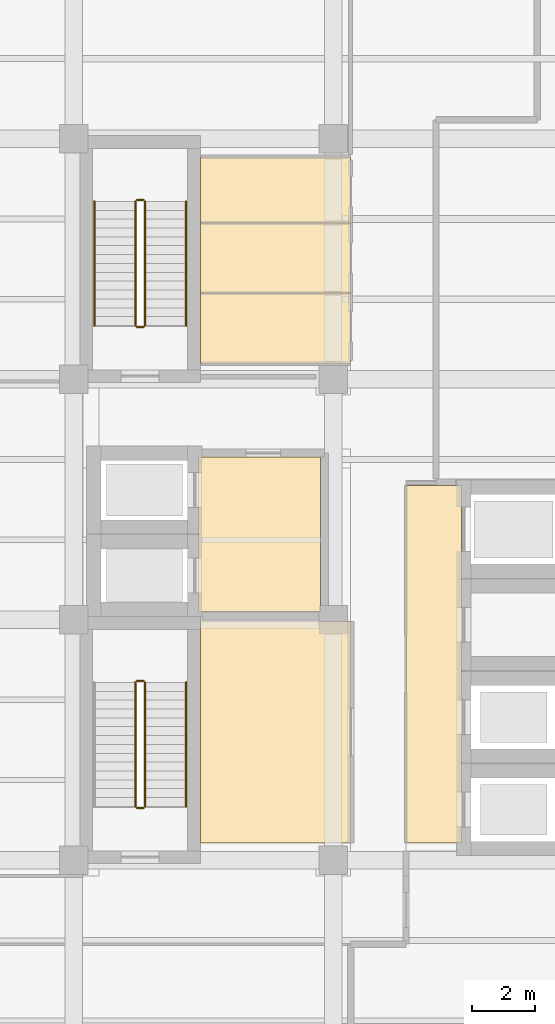
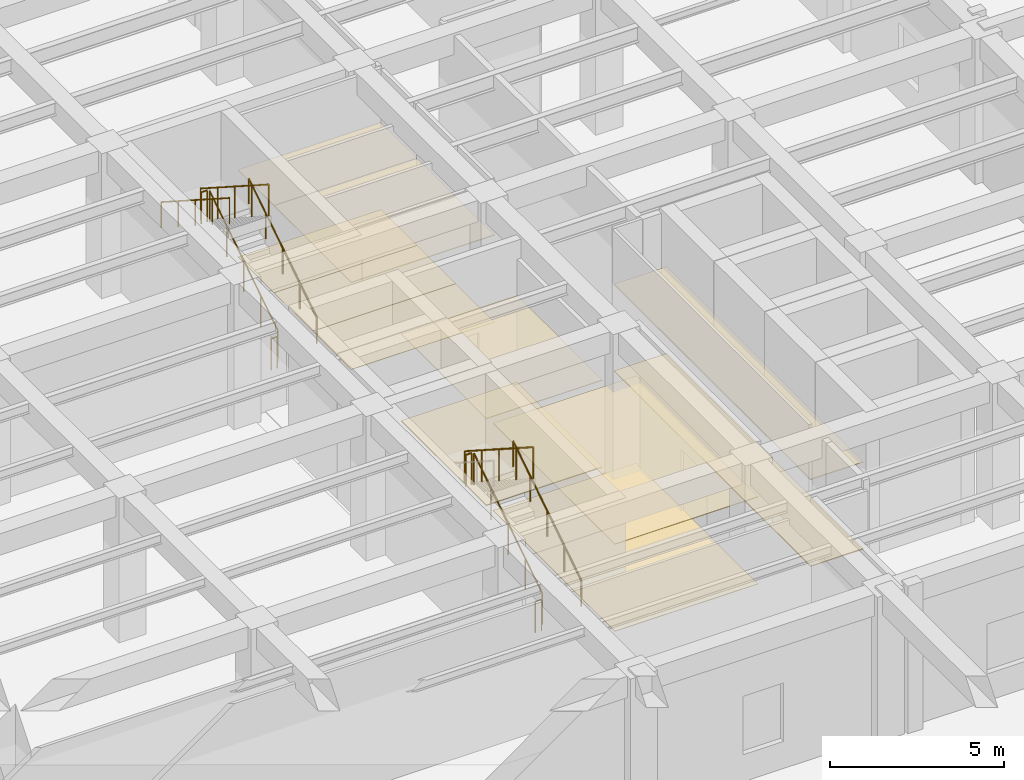
# One storey, part 60 of 64: 12 coverings, 11 railings.
"""IFC4 building model written with IfcOpenShell, lengths in metres."""

import ifcopenshell
import ifcopenshell.guid

model = None  # the IFC model being written
_history = None  # IfcOwnerHistory: only IFC2X3 demands one
_inside = {}  # id of a spatial element -> (the spatial element, [elements in it])
_under = {}  # id of a project, library or spatial element -> (it, [spatial elements below it])
_declared = {}  # id of a project -> (the project, [libraries it declares])
_typed = {}  # id of a type object -> (the type object, [elements of that type])
_made_of = {}  # id of a material, layer set ... -> (it, [elements and type objects made of it])


def new_model(schema):
    """Start an empty IFC model of exactly this schema.

    Asked for "IFC4X3", IfcOpenShell would pick the latest addendum, in which some entities
    have other attributes; the version numbers below select the first issue.
    IFC2X3 requires an IfcOwnerHistory on every rooted entity: one is made here for all.
    """
    global model, _history
    if schema == "IFC4X3":
        model = ifcopenshell.file(schema_version=(4, 3, 0, 0))
    else:
        model = ifcopenshell.file(schema=schema)
    _inside.clear()
    _under.clear()
    _declared.clear()
    _typed.clear()
    _made_of.clear()
    _history = None
    if model.schema == "IFC2X3":
        org = make("IfcOrganization", Name="unknown")
        user = make(
            "IfcPersonAndOrganization",
            ThePerson=make("IfcPerson", FamilyName="unknown"),
            TheOrganization=org,
        )
        app = make(
            "IfcApplication",
            ApplicationDeveloper=org,
            Version="unknown",
            ApplicationFullName="unknown",
            ApplicationIdentifier="unknown",
        )
        _history = make(
            "IfcOwnerHistory",
            OwningUser=user,
            OwningApplication=app,
            ChangeAction="ADDED",
            CreationDate=0,
        )
    return model


def make(cls, **values):
    """One entity of the class cls with the attributes given. An attribute that is None is left unset."""
    return model.create_entity(
        cls, **{name: value for name, value in values.items() if value is not None}
    )


def rooted(cls, **values):
    """An entity with a GlobalId (a new one), such as an element, a storey or a relation."""
    return make(cls, GlobalId=ifcopenshell.guid.new(), OwnerHistory=_history, **values)


def si_unit(unit_type, name, prefix=None):
    """IfcSIUnit, for example si_unit("LENGTHUNIT", "METRE", prefix="MILLI")."""
    return make("IfcSIUnit", UnitType=unit_type, Prefix=prefix, Name=name)


def assignment(units):
    """IfcUnitAssignment: the units of a project."""
    return None if units is None else make("IfcUnitAssignment", Units=units)


def point(xyz):
    """IfcCartesianPoint."""
    return None if xyz is None else make("IfcCartesianPoint", Coordinates=xyz)


def direction(xyz):
    """IfcDirection."""
    return None if xyz is None else make("IfcDirection", DirectionRatios=xyz)


def frame(location, z_axis=None, x_axis=None):
    """IfcAxis2Placement3D, a coordinate frame: its origin and axes. An axis left out is left unset."""
    return make(
        "IfcAxis2Placement3D",
        Location=point(location),
        Axis=direction(z_axis),
        RefDirection=direction(x_axis),
    )


def frame_2d(location, x_axis=None):
    """IfcAxis2Placement2D, a coordinate frame in the plane: its origin and x axis."""
    return make(
        "IfcAxis2Placement2D", Location=point(location), RefDirection=direction(x_axis)
    )


def origin():
    """The frame at (0, 0, 0) with its axes left unset."""
    return frame((0.0, 0.0, 0.0))


def origin_2d():
    """The frame at (0, 0) in the plane with its x axis left unset."""
    return frame_2d((0.0, 0.0))


def place(relative_to, where):
    """IfcLocalPlacement: puts the frame where relative to a parent placement (None: the world)."""
    return make(
        "IfcLocalPlacement", PlacementRelTo=relative_to, RelativePlacement=where
    )


def context(
    kind, dimensions, precision=None, world=None, true_north=None, identifier=None
):
    """IfcGeometricRepresentationContext, for example the 3D "Model" context."""
    return make(
        "IfcGeometricRepresentationContext",
        ContextIdentifier=identifier,
        ContextType=kind,
        CoordinateSpaceDimension=dimensions,
        Precision=precision,
        WorldCoordinateSystem=world,
        TrueNorth=true_north,
    )


def subcontext(parent, identifier, kind, view, scale=None):
    """IfcGeometricRepresentationSubContext, for example "Body" below "Model"."""
    return make(
        "IfcGeometricRepresentationSubContext",
        ContextIdentifier=identifier,
        ContextType=kind,
        ParentContext=parent,
        TargetScale=scale,
        TargetView=view,
    )


def project(units=None, contexts=None):
    """IfcProject with its units and contexts."""
    return rooted(
        "IfcProject",
        Name="project",
        RepresentationContexts=contexts,
        UnitsInContext=assignment(units),
    )


def spatial(cls, under=None, at=None, **own):
    """A site, building, storey or space (cls), placed at a placement, below another one or the project."""
    s = rooted(cls, ObjectPlacement=at, **own)
    if under is not None:
        _under.setdefault(under.id(), (under, []))[1].append(s)
    return s


def polyline(points):
    """IfcPolyline through the points."""
    return make("IfcPolyline", Points=[point(p) for p in points])


def profile(cls, at=None, kind="AREA", **sizes):
    """A parametric profile (cls). Its sizes go by their IFC names, for example OverallWidth=200.0."""
    return make(cls, ProfileType=kind, Position=at, **sizes)


def circle(**sizes):
    """IfcCircleProfileDef."""
    return profile("IfcCircleProfileDef", **sizes)


def outline(outer, holes=None, kind="AREA"):
    """IfcArbitraryClosedProfileDef: a profile drawn as a closed curve; with holes, ...WithVoids."""
    if holes is None:
        return make("IfcArbitraryClosedProfileDef", ProfileType=kind, OuterCurve=outer)
    return make(
        "IfcArbitraryProfileDefWithVoids",
        ProfileType=kind,
        OuterCurve=outer,
        InnerCurves=holes,
    )


def extrude(swept, where, along, depth):
    """IfcExtrudedAreaSolid: the profile swept, set in the frame where, extruded along a direction by depth."""
    return make(
        "IfcExtrudedAreaSolid",
        SweptArea=swept,
        Position=where,
        ExtrudedDirection=direction(along),
        Depth=depth,
    )


def shape(context_of_items, identifier, shape_type, items):
    """IfcShapeRepresentation: the items that make up one representation, for example the "Body"."""
    return make(
        "IfcShapeRepresentation",
        ContextOfItems=context_of_items,
        RepresentationIdentifier=identifier,
        RepresentationType=shape_type,
        Items=items,
    )


def material(Name=None, Category=None):
    """IfcMaterial."""
    return make("IfcMaterial", Name=Name, Category=Category)


def layer(
    of_material, thickness, ventilated=None, Name=None, Category=None, Priority=None
):
    """IfcMaterialLayer: one layer of a wall or slab, of a material (None: an air gap)."""
    return make(
        "IfcMaterialLayer",
        Material=of_material,
        LayerThickness=thickness,
        IsVentilated=ventilated,
        Name=Name,
        Category=Category,
        Priority=Priority,
    )


def layer_set(layers, Name=None):
    """IfcMaterialLayerSet."""
    return make("IfcMaterialLayerSet", MaterialLayers=layers, LayerSetName=Name)


def made_of(thing, what):
    """Note that an element or type object is made of a material, layer set ...; save() writes the relation."""
    if what is not None:
        _made_of.setdefault(what.id(), (what, []))[1].append(thing)
    return thing


def type_object(cls, material=None, **own):
    """A type object (cls), such as IfcWallType, which elements share."""
    return made_of(rooted(cls, **own), material)


def element(
    cls,
    number,
    at=None,
    inside=None,
    cuts=None,
    type_object=None,
    material=None,
    context=None,
    identifier="Body",
    shape_type=None,
    held_by="IfcProductDefinitionShape",
    body=None,
    shapes=None,
    **own,
):
    """One element of the class cls, such as IfcWall. Its Tag is "e" and its number.

    at: its placement. inside: the storey or other place that contains it. cuts: it is an
    opening in that element (IfcRelVoidsElement). A single representation is given by context,
    identifier, shape_type and body (its items); several are given by shapes. held_by: the class
    of the entity that holds the representations. save() writes the other relations.
    """
    e = rooted(cls, Tag="e%d" % number, ObjectPlacement=at, **own)
    if body is not None:
        shapes = [shape(context, identifier, shape_type, body)]
    if shapes is not None:
        e.Representation = make(held_by, Representations=shapes)
    if inside is not None:
        _inside.setdefault(inside.id(), (inside, []))[1].append(e)
    if cuts is not None:
        rooted(
            "IfcRelVoidsElement", RelatingBuildingElement=cuts, RelatedOpeningElement=e
        )
    if type_object is not None:
        _typed.setdefault(type_object.id(), (type_object, []))[1].append(e)
    return made_of(e, material)


def aggregate(whole, parts):
    """IfcRelAggregates: a whole, such as a stair, and the parts it consists of."""
    return rooted("IfcRelAggregates", RelatingObject=whole, RelatedObjects=parts)


def save(model, path):
    """Write the relations noted so far, then the file.

    IfcRelAggregates (storeys below a building ...), IfcRelContainedInSpatialStructure (elements
    in a storey), IfcRelDefinesByType, IfcRelAssociatesMaterial and IfcRelDeclares: one each for
    every whole, place, type object, material and project.
    """
    for whole, parts in _under.values():
        aggregate(whole, parts)
    for where, things in _inside.values():
        rooted(
            "IfcRelContainedInSpatialStructure",
            RelatedElements=things,
            RelatingStructure=where,
        )
    for kind, things in _typed.values():
        rooted("IfcRelDefinesByType", RelatedObjects=things, RelatingType=kind)
    for what, things in _made_of.values():
        rooted("IfcRelAssociatesMaterial", RelatedObjects=things, RelatingMaterial=what)
    for by, libraries in _declared.values():
        rooted("IfcRelDeclares", RelatingContext=by, RelatedDefinitions=libraries)
    model.write(path)


model = new_model("IFC4")

# Units and contexts
model_context = context("Model", 3, precision=1e-05, world=origin(), true_north=direction((0.0, 1.0)))
body_context = subcontext(model_context, "Body", "Model", "MODEL_VIEW")
ifc_project = project(units=[si_unit("LENGTHUNIT", "METRE"), si_unit("AREAUNIT", "SQUARE_METRE"), si_unit("VOLUMEUNIT", "CUBIC_METRE"), si_unit("PLANEANGLEUNIT", "RADIAN"), si_unit("MASSUNIT", "GRAM", prefix="KILO")], contexts=[model_context])

# Site, building, storey
site_placement = place(None, origin())
site = spatial("IfcSite", under=ifc_project, at=site_placement, CompositionType="ELEMENT")
building_placement = place(site_placement, origin())
building = spatial("IfcBuilding", under=site, at=building_placement, Name="Qandaris Square Conservatory and Botanical Centre", CompositionType="ELEMENT")
storey_placement = place(building_placement, origin())
storey = spatial("IfcBuildingStorey", under=building, at=storey_placement, Name="L00", CompositionType="ELEMENT", Elevation=0.0)

# Coverings
ifc_material_1 = material(Name="Honed Qatari Limestone", Category="masonry")
ifc_layer_1 = layer(ifc_material_1, 0.030029296875)
ifc_layer_set_1 = layer_set([ifc_layer_1], Name="Honed Qatari Limestone")
covering_type_1 = type_object("IfcCoveringType", Name="Honed Qatari Limestone Concourse Paving", PredefinedType="FLOORING", material=ifc_layer_set_1)
covering_1_placement = place(storey_placement, origin())
element("IfcCovering", 1, at=covering_1_placement, inside=storey, type_object=covering_type_1, Name="Firefighting Lift Lobby L00 Flooring", PredefinedType="FLOORING", context=body_context, shape_type="SweptSolid", body=[
    extrude(outline(polyline([(143.14990234375, 36.949951171875), (147.0, 36.949951171875), (147.0, 32.050048828125), (143.14990234375, 32.050048828125), (143.14990234375, 36.949951171875)])), origin(), (0.0, 0.0, 1.0), 0.030029296875),
])
covering_2_placement = place(storey_placement, origin())
element("IfcCovering", 2, at=covering_2_placement, inside=storey, type_object=covering_type_1, Name="Passenger Lift Lobby L00 Flooring", PredefinedType="FLOORING", context=body_context, shape_type="SweptSolid", body=[
    extrude(outline(polyline([(149.699951171875, 36.050048828125), (151.449951171875, 36.050048828125), (151.449951171875, 24.75), (149.699951171875, 24.75), (149.699951171875, 36.050048828125)])), origin(), (0.0, 0.0, 1.0), 0.030029296875),
])
ifc_material_2 = material(Name="Gypsum Plasterboard", Category="gypsum")
ifc_layer_2 = layer(ifc_material_2, 0.02490234375)
ifc_layer_set_2 = layer_set([ifc_layer_2], Name="Gypsum Plasterboard")
covering_type_2 = type_object("IfcCoveringType", Name="Perforated Acoustic Lab Ceiling Tile", PredefinedType="CEILING", material=ifc_layer_set_2)
covering_3_placement = place(storey_placement, frame((0.0, 0.0, 3.050048828125)))
element("IfcCovering", 3, at=covering_3_placement, inside=storey, type_object=covering_type_2, Name="Firefighting Lift Lobby L00 Ceiling", PredefinedType="CEILING", context=body_context, shape_type="SweptSolid", body=[
    extrude(outline(polyline([(143.14990234375, 36.949951171875), (147.0, 36.949951171875), (147.0, 32.050048828125), (143.14990234375, 32.050048828125), (143.14990234375, 36.949951171875)])), origin(), (0.0, 0.0, 1.0), 0.02490234375),
])
covering_4_placement = place(storey_placement, frame((0.0, 0.0, 3.050048828125)))
element("IfcCovering", 4, at=covering_4_placement, inside=storey, type_object=covering_type_2, Name="Electrical and Telecom Riser Room L00 Ceiling", PredefinedType="CEILING", context=body_context, shape_type="SweptSolid", body=[
    extrude(outline(polyline([(147.949951171875, 31.75), (147.949951171875, 24.75), (143.199951171875, 24.75), (143.199951171875, 31.75), (147.949951171875, 31.75)])), origin(), (0.0, 0.0, 1.0), 0.02490234375),
])
covering_5_placement = place(storey_placement, frame((0.0, 0.0, 3.050048828125)))
element("IfcCovering", 5, at=covering_5_placement, inside=storey, type_object=covering_type_2, Name="Passenger Lift Lobby L00 Ceiling", PredefinedType="CEILING", context=body_context, shape_type="SweptSolid", body=[
    extrude(outline(polyline([(149.699951171875, 36.050048828125), (151.449951171875, 36.050048828125), (151.449951171875, 24.75), (149.699951171875, 24.75), (149.699951171875, 36.050048828125)])), origin(), (0.0, 0.0, 1.0), 0.02490234375),
])
covering_6_placement = place(storey_placement, frame((0.0, 0.0, 3.050048828125)))
element("IfcCovering", 6, at=covering_6_placement, inside=storey, type_object=covering_type_2, Name="Accessible Toilet L00 Ceiling", PredefinedType="CEILING", context=body_context, shape_type="SweptSolid", body=[
    extrude(outline(polyline([(147.949951171875, 42.1201171875), (147.949951171875, 39.89990234375), (143.199951171875, 39.89990234375), (143.199951171875, 42.1201171875), (147.949951171875, 42.1201171875)])), origin(), (0.0, 0.0, 1.0), 0.02490234375),
])
covering_7_placement = place(storey_placement, frame((0.0, 0.0, 3.050048828125)))
element("IfcCovering", 7, at=covering_7_placement, inside=storey, type_object=covering_type_2, Name="Staff Male Toilet L00 Ceiling", PredefinedType="CEILING", context=body_context, shape_type="SweptSolid", body=[
    extrude(outline(polyline([(147.949951171875, 44.340087890625), (147.949951171875, 42.1201171875), (143.199951171875, 42.1201171875), (143.199951171875, 44.340087890625), (147.949951171875, 44.340087890625)])), origin(), (0.0, 0.0, 1.0), 0.02490234375),
])
covering_8_placement = place(storey_placement, frame((0.0, 0.0, 3.050048828125)))
element("IfcCovering", 8, at=covering_8_placement, inside=storey, type_object=covering_type_2, Name="Staff Female Toilet L00 Ceiling", PredefinedType="CEILING", context=body_context, shape_type="SweptSolid", body=[
    extrude(outline(polyline([(147.949951171875, 46.419921875), (147.949951171875, 44.340087890625), (143.199951171875, 44.340087890625), (143.199951171875, 46.419921875), (147.949951171875, 46.419921875)])), origin(), (0.0, 0.0, 1.0), 0.02490234375),
])
ifc_material_3 = material(Name="Epoxy Resin Screed", Category="finish")
ifc_layer_3 = layer(ifc_material_3, 0.014892578125)
ifc_layer_set_3 = layer_set([ifc_layer_3], Name="Epoxy Resin Screed")
covering_type_3 = type_object("IfcCoveringType", Name="Seamless Epoxy Laboratory Flooring", PredefinedType="FLOORING", material=ifc_layer_set_3)
covering_9_placement = place(storey_placement, origin())
element("IfcCovering", 9, at=covering_9_placement, inside=storey, type_object=covering_type_3, Name="Electrical and Telecom Riser Room L00 Flooring", PredefinedType="FLOORING", context=body_context, shape_type="SweptSolid", body=[
    extrude(outline(polyline([(147.949951171875, 31.75), (147.949951171875, 24.75), (143.199951171875, 24.75), (143.199951171875, 31.75), (147.949951171875, 31.75)])), origin(), (0.0, 0.0, 1.0), 0.014892578125),
])
covering_10_placement = place(storey_placement, origin())
element("IfcCovering", 10, at=covering_10_placement, inside=storey, type_object=covering_type_3, Name="Accessible Toilet L00 Flooring", PredefinedType="FLOORING", context=body_context, shape_type="SweptSolid", body=[
    extrude(outline(polyline([(147.949951171875, 42.1201171875), (147.949951171875, 39.89990234375), (143.199951171875, 39.89990234375), (143.199951171875, 42.1201171875), (147.949951171875, 42.1201171875)])), origin(), (0.0, 0.0, 1.0), 0.014892578125),
])
covering_11_placement = place(storey_placement, origin())
element("IfcCovering", 11, at=covering_11_placement, inside=storey, type_object=covering_type_3, Name="Staff Male Toilet L00 Flooring", PredefinedType="FLOORING", context=body_context, shape_type="SweptSolid", body=[
    extrude(outline(polyline([(147.949951171875, 44.340087890625), (147.949951171875, 42.1201171875), (143.199951171875, 42.1201171875), (143.199951171875, 44.340087890625), (147.949951171875, 44.340087890625)])), origin(), (0.0, 0.0, 1.0), 0.014892578125),
])
covering_12_placement = place(storey_placement, origin())
element("IfcCovering", 12, at=covering_12_placement, inside=storey, type_object=covering_type_3, Name="Staff Female Toilet L00 Flooring", PredefinedType="FLOORING", context=body_context, shape_type="SweptSolid", body=[
    extrude(outline(polyline([(147.949951171875, 46.419921875), (147.949951171875, 44.340087890625), (143.199951171875, 44.340087890625), (143.199951171875, 46.419921875), (147.949951171875, 46.419921875)])), origin(), (0.0, 0.0, 1.0), 0.014892578125),
])

# Railings
ifc_material_4 = material(Name="Stainless Steel", Category="steel")
railing_type_1 = type_object("IfcRailingType", Name="Stair Tubular Handrail 920mm", PredefinedType="HANDRAIL", material=ifc_material_4)
railing_1_placement = place(storey_placement, frame((142.75, 25.89990234375, 0.360107421875)))
element("IfcRailing", 13, at=railing_1_placement, inside=storey, type_object=railing_type_1, Name="L00 ST-1 stair handrail 1", PredefinedType="HANDRAIL", context=body_context, shape_type="SweptSolid", body=[
    extrude(circle(Radius=0.02392578125, at=origin_2d()), frame((0.0, 0.0, 0.89599609375), z_axis=(0.0, 0.841210815121, 0.540707281738), x_axis=(-1.0, 0.0, 0.0)), (0.0, 0.0, 1.0), 4.66015625),
    extrude(circle(Radius=0.02099609375, at=origin_2d()), origin(), (0.0, 0.0, 1.0), 0.871826171875),
    extrude(circle(Radius=0.02099609375, at=origin_2d()), frame((0.0, 0.97998046875, 0.6298828125)), (0.0, 0.0, 1.0), 0.871826171875),
    extrude(circle(Radius=0.02099609375, at=origin_2d()), frame((0.0, 1.9599609375, 1.259765625)), (0.0, 0.0, 1.0), 0.871826171875),
    extrude(circle(Radius=0.02099609375, at=origin_2d()), frame((0.0, 2.940185546875, 1.889892578125)), (0.0, 0.0, 1.0), 0.871826171875),
    extrude(circle(Radius=0.02099609375, at=origin_2d()), frame((0.0, 3.920166015625, 2.519775390625)), (0.0, 0.0, 1.0), 0.871826171875),
])
railing_2_placement = place(storey_placement, frame((142.75, 41.10009765625, 0.360107421875)))
element("IfcRailing", 14, at=railing_2_placement, inside=storey, type_object=railing_type_1, Name="L00 ST-2 stair handrail 1", PredefinedType="HANDRAIL", context=body_context, shape_type="SweptSolid", body=[
    extrude(circle(Radius=0.02392578125, at=origin_2d()), frame((0.0, 0.0, 0.89599609375), z_axis=(0.0, 0.84119549742, 0.540731111663), x_axis=(-1.0, 0.0, 0.0)), (0.0, 0.0, 1.0), 4.659912109375),
    extrude(circle(Radius=0.02099609375, at=origin_2d()), origin(), (0.0, 0.0, 1.0), 0.871826171875),
    extrude(circle(Radius=0.02099609375, at=origin_2d()), frame((0.0, 0.97998046875, 0.6298828125)), (0.0, 0.0, 1.0), 0.871826171875),
    extrude(circle(Radius=0.02099609375, at=origin_2d()), frame((0.0, 1.9599609375, 1.259765625)), (0.0, 0.0, 1.0), 0.871826171875),
    extrude(circle(Radius=0.02099609375, at=origin_2d()), frame((0.0, 2.93994140625, 1.889892578125)), (0.0, 0.0, 1.0), 0.871826171875),
    extrude(circle(Radius=0.02099609375, at=origin_2d()), frame((0.0, 3.919921875, 2.519775390625)), (0.0, 0.0, 1.0), 0.871826171875),
])
railing_3_placement = place(storey_placement, frame((139.85009765625, 45.02001953125, 3.06005859375)))
element("IfcRailing", 15, at=railing_3_placement, inside=storey, type_object=railing_type_1, Name="L00 ST-2 stair handrail 2", PredefinedType="HANDRAIL", context=body_context, shape_type="SweptSolid", body=[
    extrude(circle(Radius=0.02392578125, at=origin_2d()), frame((0.0, 0.0, 0.89599609375), z_axis=(0.0, -0.841171666519, 0.540768182723), x_axis=(1.0, 0.0, 0.0)), (0.0, 0.0, 1.0), 4.66015625),
    extrude(circle(Radius=0.02099609375, at=origin_2d()), origin(), (0.0, 0.0, 1.0), 0.871826171875),
    extrude(circle(Radius=0.02099609375, at=origin_2d()), frame((0.0, -0.97998046875, 0.6298828125)), (0.0, 0.0, 1.0), 0.871826171875),
    extrude(circle(Radius=0.02099609375, at=origin_2d()), frame((0.0, -1.9599609375, 1.260009765625)), (0.0, 0.0, 1.0), 0.871826171875),
    extrude(circle(Radius=0.02099609375, at=origin_2d()), frame((0.0, -2.93994140625, 1.89013671875)), (0.0, 0.0, 1.0), 0.871826171875),
    extrude(circle(Radius=0.02099609375, at=origin_2d()), frame((0.0, -3.919921875, 2.52001953125)), (0.0, 0.0, 1.0), 0.871826171875),
])
railing_type_2 = type_object("IfcRailingType", Name="Stairwell & Atrium Guardrail 1120mm", PredefinedType="GUARDRAIL", material=ifc_material_4)
railing_4_placement = place(storey_placement, frame((141.449951171875, 25.89990234375, 0.179931640625)))
element("IfcRailing", 16, at=railing_4_placement, inside=storey, type_object=railing_type_2, Name="L00 ST-1 stair guard 1", PredefinedType="GUARDRAIL", context=body_context, shape_type="SweptSolid", body=[
    extrude(circle(Radius=0.02392578125, at=origin_2d()), frame((0.0, 0.0, 1.09619140625), z_axis=(0.0, 0.841186985886, 0.540744352514), x_axis=(-1.0, 0.0, 0.0)), (0.0, 0.0, 1.0), 4.660400390625),
    extrude(circle(Radius=0.02099609375, at=origin_2d()), origin(), (0.0, 0.0, 1.0), 1.072021484375),
    extrude(circle(Radius=0.02099609375, at=origin_2d()), frame((0.0, 0.97998046875, 0.6298828125)), (0.0, 0.0, 1.0), 1.072021484375),
    extrude(circle(Radius=0.02099609375, at=origin_2d()), frame((0.0, 1.9599609375, 1.260009765625)), (0.0, 0.0, 1.0), 1.072021484375),
    extrude(circle(Radius=0.02099609375, at=origin_2d()), frame((0.0, 2.940185546875, 1.89013671875)), (0.0, 0.0, 1.0), 1.072021484375),
    extrude(circle(Radius=0.02099609375, at=origin_2d()), frame((0.0, 3.920166015625, 2.52001953125)), (0.0, 0.0, 1.0), 1.072021484375),
])
railing_5_placement = place(storey_placement, frame((141.39990234375, 29.8701171875, 2.699951171875)))
element("IfcRailing", 17, at=railing_5_placement, inside=storey, type_object=railing_type_2, Name="L00 ST-1 stair guard 2", PredefinedType="GUARDRAIL", context=body_context, shape_type="SweptSolid", body=[
    extrude(circle(Radius=0.02392578125, at=origin_2d()), frame((0.0, 0.0, 1.09619140625), z_axis=(-1.0, 0.0, 0.0), x_axis=(0.0, -1.0, 0.0)), (0.0, 0.0, 1.0), 0.199951171875),
    extrude(circle(Radius=0.02099609375, at=origin_2d()), origin(), (0.0, 0.0, 1.0), 1.072021484375),
    extrude(circle(Radius=0.02099609375, at=origin_2d()), frame((-0.199951171875, 0.0, 0.0)), (0.0, 0.0, 1.0), 1.072021484375),
])
railing_6_placement = place(storey_placement, frame((141.14990234375, 29.820068359375, 2.8798828125)))
element("IfcRailing", 18, at=railing_6_placement, inside=storey, type_object=railing_type_2, Name="L00 ST-1 stair guard 3", PredefinedType="GUARDRAIL", context=body_context, shape_type="SweptSolid", body=[
    extrude(circle(Radius=0.02392578125, at=origin_2d()), frame((0.0, 0.0, 1.09619140625), z_axis=(0.0, -0.841186985886, 0.540744352514), x_axis=(1.0, 0.0, 0.0)), (0.0, 0.0, 1.0), 4.660400390625),
    extrude(circle(Radius=0.02099609375, at=origin_2d()), origin(), (0.0, 0.0, 1.0), 1.072021484375),
    extrude(circle(Radius=0.02099609375, at=origin_2d()), frame((0.0, -0.97998046875, 0.6298828125)), (0.0, 0.0, 1.0), 1.072021484375),
    extrude(circle(Radius=0.02099609375, at=origin_2d()), frame((0.0, -1.9599609375, 1.260009765625)), (0.0, 0.0, 1.0), 1.072021484375),
    extrude(circle(Radius=0.02099609375, at=origin_2d()), frame((0.0, -2.940185546875, 1.89013671875)), (0.0, 0.0, 1.0), 1.072021484375),
    extrude(circle(Radius=0.02099609375, at=origin_2d()), frame((0.0, -3.920166015625, 2.52001953125)), (0.0, 0.0, 1.0), 1.072021484375),
])
railing_7_placement = place(storey_placement, frame((141.39990234375, 25.85009765625, 0.0)))
element("IfcRailing", 19, at=railing_7_placement, inside=storey, type_object=railing_type_2, Name="L00 ST-1 stair guard 4", PredefinedType="GUARDRAIL", context=body_context, shape_type="SweptSolid", body=[
    extrude(circle(Radius=0.02392578125, at=origin_2d()), frame((0.0, 0.0, 1.09619140625), z_axis=(-1.0, 0.0, 0.0), x_axis=(0.0, -1.0, 0.0)), (0.0, 0.0, 1.0), 0.199951171875),
    extrude(circle(Radius=0.02099609375, at=origin_2d()), origin(), (0.0, 0.0, 1.0), 1.072021484375),
    extrude(circle(Radius=0.02099609375, at=origin_2d()), frame((-0.199951171875, 0.0, 0.0)), (0.0, 0.0, 1.0), 1.072021484375),
])
railing_8_placement = place(storey_placement, frame((141.449951171875, 41.10009765625, 0.179931640625)))
element("IfcRailing", 20, at=railing_8_placement, inside=storey, type_object=railing_type_2, Name="L00 ST-2 stair guard 1", PredefinedType="GUARDRAIL", context=body_context, shape_type="SweptSolid", body=[
    extrude(circle(Radius=0.02392578125, at=origin_2d()), frame((0.0, 0.0, 1.09619140625), z_axis=(0.0, 0.841171666519, 0.540768182723), x_axis=(-1.0, 0.0, 0.0)), (0.0, 0.0, 1.0), 4.66015625),
    extrude(circle(Radius=0.02099609375, at=origin_2d()), origin(), (0.0, 0.0, 1.0), 1.072021484375),
    extrude(circle(Radius=0.02099609375, at=origin_2d()), frame((0.0, 0.97998046875, 0.6298828125)), (0.0, 0.0, 1.0), 1.072021484375),
    extrude(circle(Radius=0.02099609375, at=origin_2d()), frame((0.0, 1.9599609375, 1.260009765625)), (0.0, 0.0, 1.0), 1.072021484375),
    extrude(circle(Radius=0.02099609375, at=origin_2d()), frame((0.0, 2.93994140625, 1.89013671875)), (0.0, 0.0, 1.0), 1.072021484375),
    extrude(circle(Radius=0.02099609375, at=origin_2d()), frame((0.0, 3.919921875, 2.52001953125)), (0.0, 0.0, 1.0), 1.072021484375),
])
railing_9_placement = place(storey_placement, frame((141.39990234375, 45.070068359375, 2.699951171875)))
element("IfcRailing", 21, at=railing_9_placement, inside=storey, type_object=railing_type_2, Name="L00 ST-2 stair guard 2", PredefinedType="GUARDRAIL", context=body_context, shape_type="SweptSolid", body=[
    extrude(circle(Radius=0.02392578125, at=origin_2d()), frame((0.0, 0.0, 1.09619140625), z_axis=(-1.0, 0.0, 0.0), x_axis=(0.0, -1.0, 0.0)), (0.0, 0.0, 1.0), 0.199951171875),
    extrude(circle(Radius=0.02099609375, at=origin_2d()), origin(), (0.0, 0.0, 1.0), 1.072021484375),
    extrude(circle(Radius=0.02099609375, at=origin_2d()), frame((-0.199951171875, 0.0, 0.0)), (0.0, 0.0, 1.0), 1.072021484375),
])
railing_10_placement = place(storey_placement, frame((141.14990234375, 45.02001953125, 2.8798828125)))
element("IfcRailing", 22, at=railing_10_placement, inside=storey, type_object=railing_type_2, Name="L00 ST-2 stair guard 3", PredefinedType="GUARDRAIL", context=body_context, shape_type="SweptSolid", body=[
    extrude(circle(Radius=0.02392578125, at=origin_2d()), frame((0.0, 0.0, 1.09619140625), z_axis=(0.0, -0.841171666519, 0.540768182723), x_axis=(1.0, 0.0, 0.0)), (0.0, 0.0, 1.0), 4.66015625),
    extrude(circle(Radius=0.02099609375, at=origin_2d()), origin(), (0.0, 0.0, 1.0), 1.072021484375),
    extrude(circle(Radius=0.02099609375, at=origin_2d()), frame((0.0, -0.97998046875, 0.6298828125)), (0.0, 0.0, 1.0), 1.072021484375),
    extrude(circle(Radius=0.02099609375, at=origin_2d()), frame((0.0, -1.9599609375, 1.260009765625)), (0.0, 0.0, 1.0), 1.072021484375),
    extrude(circle(Radius=0.02099609375, at=origin_2d()), frame((0.0, -2.93994140625, 1.89013671875)), (0.0, 0.0, 1.0), 1.072021484375),
    extrude(circle(Radius=0.02099609375, at=origin_2d()), frame((0.0, -3.919921875, 2.52001953125)), (0.0, 0.0, 1.0), 1.072021484375),
])
railing_11_placement = place(storey_placement, frame((141.39990234375, 41.050048828125, 0.0)))
element("IfcRailing", 23, at=railing_11_placement, inside=storey, type_object=railing_type_2, Name="L00 ST-2 stair guard 4", PredefinedType="GUARDRAIL", context=body_context, shape_type="SweptSolid", body=[
    extrude(circle(Radius=0.02392578125, at=origin_2d()), frame((0.0, 0.0, 1.09619140625), z_axis=(-1.0, 0.0, 0.0), x_axis=(0.0, -1.0, 0.0)), (0.0, 0.0, 1.0), 0.199951171875),
    extrude(circle(Radius=0.02099609375, at=origin_2d()), origin(), (0.0, 0.0, 1.0), 1.072021484375),
    extrude(circle(Radius=0.02099609375, at=origin_2d()), frame((-0.199951171875, 0.0, 0.0)), (0.0, 0.0, 1.0), 1.072021484375),
])

save(model, "model.ifc")
